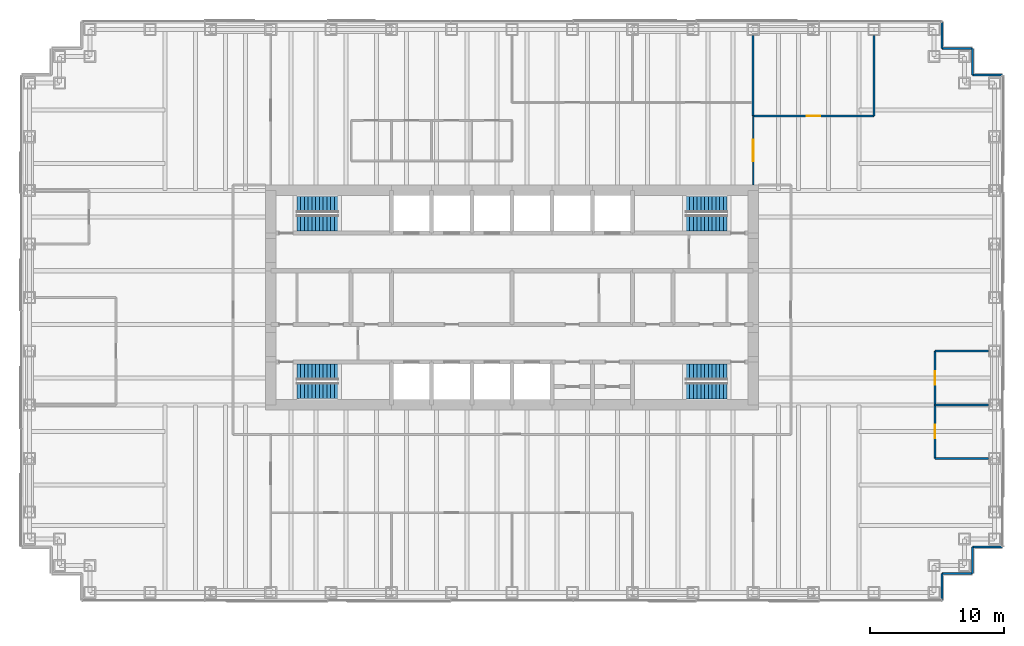
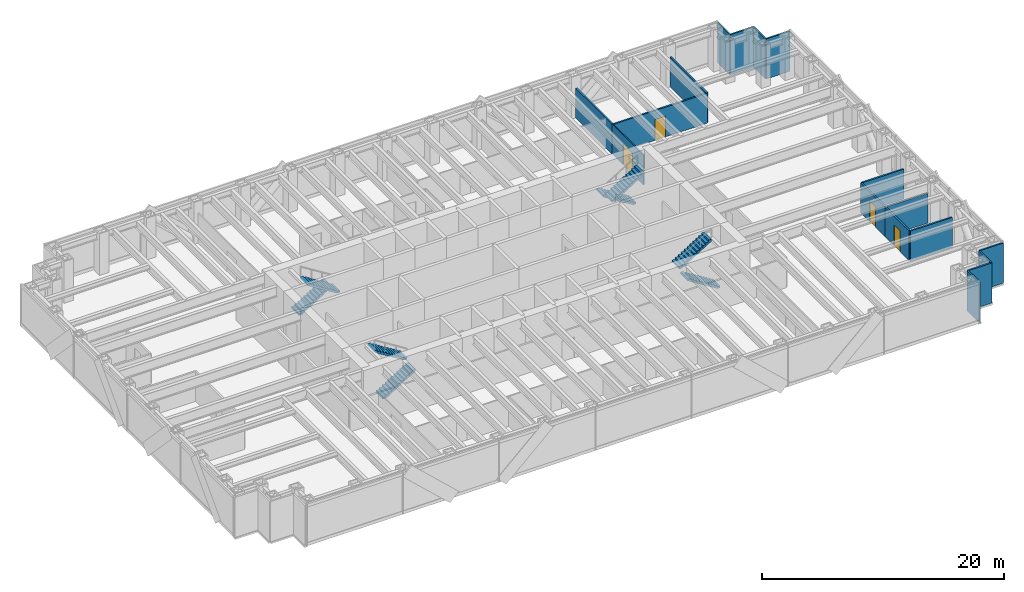
# One storey, part 13 of 14: 17 walls, 8 stair flights, 4 doors, 4 openings, 4 elements without a shape of their own.
"""IFC4 building model written with IfcOpenShell, lengths in metres."""

from ifc_helpers import new_model, si_unit, direction, frame, frame_2d, origin, place, context, subcontext, project, spatial, polyline, rectangle, outline, extrude, material, layer, layer_set, type_object, element, fill, aggregate, save


model = new_model("IFC4")

# Units and contexts
model_context = context("Model", 3, precision=1e-05, world=origin(), true_north=direction((0.0, 1.0)))
body_context = subcontext(model_context, "Body", "Model", "MODEL_VIEW")
ifc_project = project(units=[si_unit("LENGTHUNIT", "METRE"), si_unit("AREAUNIT", "SQUARE_METRE"), si_unit("VOLUMEUNIT", "CUBIC_METRE"), si_unit("PLANEANGLEUNIT", "RADIAN"), si_unit("MASSUNIT", "GRAM", prefix="KILO")], contexts=[model_context])

# Site, building, storey
site_placement = place(None, origin())
site = spatial("IfcSite", under=ifc_project, at=site_placement, CompositionType="ELEMENT")
building_placement = place(site_placement, origin())
building = spatial("IfcBuilding", under=site, at=building_placement, Name="Rheinbord Bourse Tower", CompositionType="ELEMENT")
storey_placement = place(building_placement, frame((0.0, 0.0, 202.60009765625)))
storey = spatial("IfcBuildingStorey", under=building, at=storey_placement, Name="L45", CompositionType="ELEMENT", Elevation=202.60009765625)

# Walls
ifc_material_1 = material(Name="Black metal rainscreen panel", Category="aluminium")
ifc_layer_1 = layer(ifc_material_1, 0.14990234375)
ifc_layer_set_1 = layer_set([ifc_layer_1], Name="CORNER PIER CLADDING 150")
wall_type_1 = type_object("IfcWallType", Name="CORNER PIER CLADDING 150", PredefinedType="ELEMENTEDWALL", material=ifc_layer_set_1)
wall_1_placement = place(storey_placement, frame((68.10009765625, 1.39990234375, 0.0), z_axis=(0.0, 0.0, 1.0), x_axis=(0.0, 1.0, 0.0)))
element("IfcWall", 1, at=wall_1_placement, inside=storey, type_object=wall_type_1, Name="Corner pier cladding L45 2", PredefinedType="ELEMENTEDWALL", context=body_context, shape_type="SweptSolid", body=[
    extrude(rectangle(XDim=2.0, YDim=0.14990234375, at=frame_2d((1.0, 0.0))), origin(), (0.0, 0.0, 1.0), 4.039794921875),
])
wall_2_placement = place(storey_placement, frame((68.10009765625, 3.39990234375, 0.0), z_axis=(0.0, 0.0, 1.0), x_axis=(1.0, 0.0, 0.0)))
element("IfcWall", 2, at=wall_2_placement, inside=storey, type_object=wall_type_1, Name="Corner pier cladding L45 3", PredefinedType="ELEMENTEDWALL", context=body_context, shape_type="SweptSolid", body=[
    extrude(rectangle(XDim=2.25, YDim=0.14990234375, at=frame_2d((1.125, 0.0))), origin(), (0.0, 0.0, 1.0), 4.039794921875),
])
wall_3_placement = place(storey_placement, frame((70.35009765625, 3.39990234375, 0.0), z_axis=(0.0, 0.0, 1.0), x_axis=(0.0, 1.0, 0.0)))
element("IfcWall", 3, at=wall_3_placement, inside=storey, type_object=wall_type_1, Name="Corner pier cladding L45 4", PredefinedType="ELEMENTEDWALL", context=body_context, shape_type="SweptSolid", body=[
    extrude(rectangle(XDim=2.0, YDim=0.14990234375, at=frame_2d((1.0, 0.0))), origin(), (0.0, 0.0, 1.0), 4.039794921875),
])
for number, where, z_axis, x_axis, name in (
    (4, (70.35009765625, 5.39990234375, 0.0), (0.0, 0.0, 1.0), (1.0, 0.0, 0.0), "Corner pier cladding L45 5"),
    (5, (72.60009765625, 40.60009765625, 0.0), (0.0, 0.0, 1.0), (-1.0, 0.0, 0.0), "Corner pier cladding L45 7"),
):
    element("IfcWall", number, at=place(storey_placement, frame(where, z_axis=z_axis, x_axis=x_axis)), inside=storey, type_object=wall_type_1, Name=name, PredefinedType="ELEMENTEDWALL", context=body_context, shape_type="SweptSolid", body=[
        extrude(rectangle(XDim=2.25, YDim=0.14990234375, at=frame_2d((1.125, 0.0))), origin(), (0.0, 0.0, 1.0), 4.039794921875),
    ])
wall_4_placement = place(storey_placement, frame((70.35009765625, 40.60009765625, 0.0), z_axis=(0.0, 0.0, 1.0), x_axis=(0.0, 1.0, 0.0)))
element("IfcWall", 6, at=wall_4_placement, inside=storey, type_object=wall_type_1, Name="Corner pier cladding L45 8", PredefinedType="ELEMENTEDWALL", context=body_context, shape_type="SweptSolid", body=[
    extrude(rectangle(XDim=2.0, YDim=0.14990234375, at=frame_2d((1.0, 0.0))), origin(), (0.0, 0.0, 1.0), 4.039794921875),
])
wall_5_placement = place(storey_placement, frame((70.35009765625, 42.60009765625, 0.0), z_axis=(0.0, 0.0, 1.0), x_axis=(-1.0, 0.0, 0.0)))
element("IfcWall", 7, at=wall_5_placement, inside=storey, type_object=wall_type_1, Name="Corner pier cladding L45 9", PredefinedType="ELEMENTEDWALL", context=body_context, shape_type="SweptSolid", body=[
    extrude(rectangle(XDim=2.25, YDim=0.14990234375, at=frame_2d((1.125, 0.0))), origin(), (0.0, 0.0, 1.0), 4.039794921875),
])
wall_6_placement = place(storey_placement, frame((68.10009765625, 42.60009765625, 0.0), z_axis=(0.0, 0.0, 1.0), x_axis=(0.0, 1.0, 0.0)))
element("IfcWall", 8, at=wall_6_placement, inside=storey, type_object=wall_type_1, Name="Corner pier cladding L45 10", PredefinedType="ELEMENTEDWALL", context=body_context, shape_type="SweptSolid", body=[
    extrude(rectangle(XDim=2.0, YDim=0.14990234375, at=frame_2d((1.0, 0.0))), origin(), (0.0, 0.0, 1.0), 4.039794921875),
])
ifc_material_2 = material(Name="Gypsum board fire partition", Category="gypsum board")
ifc_layer_2 = layer(ifc_material_2, 0.14990234375)
ifc_layer_set_2 = layer_set([ifc_layer_2], Name="FIRE PARTITION 150 EI60")
wall_type_2 = type_object("IfcWallType", Name="FIRE PARTITION 150 EI60", PredefinedType="PARTITIONING", material=ifc_layer_set_2)
for number, where, z_axis, x_axis, name in (
    (9, (67.550048828125, 12.0, 0.0), (0.0, 0.0, 1.0), (1.0, 0.0, 0.0), "Partition L45-02"),
    (10, (67.550048828125, 16.0, 0.0), (0.0, 0.0, 1.0), (1.0, 0.0, 0.0), "Partition L45-05"),
):
    element("IfcWall", number, at=place(storey_placement, frame(where, z_axis=z_axis, x_axis=x_axis)), inside=storey, type_object=wall_type_2, Name=name, PredefinedType="PARTITIONING", context=body_context, shape_type="SweptSolid", body=[
        extrude(rectangle(XDim=4.0, YDim=0.14990234375, at=frame_2d((2.0, 0.0))), origin(), (0.0, 0.0, 1.0), 3.0),
    ])

# Wall, opening, door
wall_7_placement = place(storey_placement, frame((67.550048828125, 12.0, 0.0), z_axis=(0.0, 0.0, 1.0), x_axis=(0.0, 1.0, 0.0)))
wall_7 = element("IfcWall", 11, at=wall_7_placement, inside=storey, type_object=wall_type_2, Name="Partition L45-36", PredefinedType="PARTITIONING", context=body_context, shape_type="SweptSolid", body=[
    extrude(rectangle(XDim=4.0, YDim=0.14990234375, at=frame_2d((2.0, 0.0))), origin(), (0.0, 0.0, 1.0), 3.0),
])
opening_1_placement = place(wall_7_placement, frame((1.5, 0.0, 0.0)))
opening_1 = element("IfcOpeningElement", 12, at=opening_1_placement, cuts=wall_7, Name="Opening 45D04", PredefinedType="OPENING", context=body_context, shape_type="SweptSolid", body=[
    extrude(rectangle(XDim=1.0, YDim=2.10009765625, at=frame_2d((0.5, 1.050048828125))), frame((0.0, 0.0849609375, 0.0), z_axis=(0.0, -1.0, 0.0), x_axis=(1.0, 0.0, 0.0)), (0.0, 0.0, 1.0), 0.169921875),
])
ifc_material_3 = material(Name="Timber fire door", Category="wood")
door_type_1 = type_object("IfcDoorType", Name="FIRE DOOR 1000 EI60", OperationType="SINGLE_SWING_LEFT", PredefinedType="DOOR", material=ifc_material_3)
door_1_placement = place(opening_1_placement, origin())
door_1 = element("IfcDoor", 13, at=door_1_placement, inside=storey, type_object=door_type_1, Name="Comms room door L45", OperationType="SINGLE_SWING_LEFT", OverallHeight=2.10009765625, OverallWidth=1.0, PredefinedType="DOOR", context=body_context, shape_type="SweptSolid", body=[
    extrude(rectangle(XDim=1.0, YDim=2.10009765625, at=frame_2d((0.5, 1.050048828125))), frame((0.0, 0.02490234375, 0.0), z_axis=(0.0, -1.0, 0.0), x_axis=(1.0, 0.0, 0.0)), (0.0, 0.0, 1.0), 0.050048828125),
])
fill(opening_1, door_1)

ifc_material_4 = material(Name="Toughened laminated glass partition", Category="glass")
ifc_layer_3 = layer(ifc_material_4, 0.10009765625)
ifc_layer_set_3 = layer_set([ifc_layer_3], Name="GLAZED PARTITION 100")
wall_type_3 = type_object("IfcWallType", Name="GLAZED PARTITION 100", PredefinedType="PARTITIONING", material=ifc_layer_set_3)
wall_8_placement = place(storey_placement, frame((54.0, 32.39990234375, 0.0), z_axis=(0.0, 0.0, 1.0), x_axis=(0.0, 1.0, 0.0)))
wall_8 = element("IfcWall", 14, at=wall_8_placement, inside=storey, type_object=wall_type_3, Name="Partition L45-32", PredefinedType="PARTITIONING", context=body_context, shape_type="SweptSolid", body=[
    extrude(rectangle(XDim=5.150146484375, YDim=0.10009765625, at=frame_2d((2.5751953125, 0.0))), origin(), (0.0, 0.0, 1.0), 3.0),
])
opening_2_placement = place(wall_8_placement, frame((1.77490234375, 0.0, 0.0)))
opening_2 = element("IfcOpeningElement", 15, at=opening_2_placement, cuts=wall_8, Name="Opening 45D18", PredefinedType="OPENING", context=body_context, shape_type="SweptSolid", body=[
    extrude(rectangle(XDim=1.60009765625, YDim=2.10009765625, at=frame_2d((0.800048828125, 1.050048828125))), frame((0.0, 0.06005859375, 0.0), z_axis=(0.0, -1.0, 0.0), x_axis=(1.0, 0.0, 0.0)), (0.0, 0.0, 1.0), 0.1201171875),
])
ifc_material_5 = material(Name="Timber door", Category="wood")
door_type_2 = type_object("IfcDoorType", Name="DOUBLE ROOM DOOR 1600", OperationType="DOUBLE_DOOR_DOUBLE_SWING", PredefinedType="DOOR", material=ifc_material_5)
door_2_placement = place(opening_2_placement, origin())
door_2 = element("IfcDoor", 16, at=door_2_placement, inside=storey, type_object=door_type_2, Name="Open area door L45", OperationType="SINGLE_SWING_LEFT", OverallHeight=2.10009765625, OverallWidth=1.60009765625, PredefinedType="DOOR", context=body_context, shape_type="SweptSolid", body=[
    extrude(rectangle(XDim=1.60009765625, YDim=2.10009765625, at=frame_2d((0.800048828125, 1.050048828125))), frame((0.0, 0.02490234375, 0.0), z_axis=(0.0, -1.0, 0.0), x_axis=(1.0, 0.0, 0.0)), (0.0, 0.0, 1.0), 0.050048828125),
])
fill(opening_2, door_2)

# Wall
ifc_material_6 = material(Name="Gypsum board partition", Category="gypsum board")
ifc_layer_4 = layer(ifc_material_6, 0.14990234375)
ifc_layer_set_4 = layer_set([ifc_layer_4], Name="PARTITION 150")
wall_type_4 = type_object("IfcWallType", Name="PARTITION 150", PredefinedType="PARTITIONING", material=ifc_layer_set_4)
wall_9_placement = place(storey_placement, frame((67.550048828125, 20.0, 0.0), z_axis=(0.0, 0.0, 1.0), x_axis=(1.0, 0.0, 0.0)))
element("IfcWall", 17, at=wall_9_placement, inside=storey, type_object=wall_type_4, Name="Partition L45-06", PredefinedType="PARTITIONING", context=body_context, shape_type="SweptSolid", body=[
    extrude(rectangle(XDim=4.0, YDim=0.14990234375, at=frame_2d((2.0, 0.0))), origin(), (0.0, 0.0, 1.0), 3.0),
])

# Wall, opening, door
wall_10_placement = place(storey_placement, frame((54.0, 37.550048828125, 0.0), z_axis=(0.0, 0.0, 1.0), x_axis=(1.0, 0.0, 0.0)))
wall_10 = element("IfcWall", 18, at=wall_10_placement, inside=storey, type_object=wall_type_4, Name="Partition L45-14", PredefinedType="PARTITIONING", context=body_context, shape_type="SweptSolid", body=[
    extrude(rectangle(XDim=9.0, YDim=0.14990234375, at=frame_2d((4.5, 0.0))), origin(), (0.0, 0.0, 1.0), 3.0),
])
opening_3_placement = place(wall_10_placement, frame((4.0, 0.0, 0.0)))
opening_3 = element("IfcOpeningElement", 19, at=opening_3_placement, cuts=wall_10, Name="Opening 45D12", PredefinedType="OPENING", context=body_context, shape_type="SweptSolid", body=[
    extrude(rectangle(XDim=1.0, YDim=2.10009765625, at=frame_2d((0.5, 1.050048828125))), frame((0.0, 0.0849609375, 0.0), z_axis=(0.0, -1.0, 0.0), x_axis=(1.0, 0.0, 0.0)), (0.0, 0.0, 1.0), 0.169921875),
])
ifc_material_7 = material(Name="Timber door", Category="wood")
door_type_3 = type_object("IfcDoorType", Name="ROOM DOOR 1000", OperationType="SINGLE_SWING_LEFT", PredefinedType="DOOR", material=ifc_material_7)
door_3_placement = place(opening_3_placement, origin())
door_3 = element("IfcDoor", 20, at=door_3_placement, inside=storey, type_object=door_type_3, Name="Head of operations office door L45", OperationType="SINGLE_SWING_LEFT", OverallHeight=2.10009765625, OverallWidth=1.0, PredefinedType="DOOR", context=body_context, shape_type="SweptSolid", body=[
    extrude(rectangle(XDim=1.0, YDim=2.10009765625, at=frame_2d((0.5, 1.050048828125))), frame((0.0, 0.02490234375, 0.0), z_axis=(0.0, -1.0, 0.0), x_axis=(1.0, 0.0, 0.0)), (0.0, 0.0, 1.0), 0.050048828125),
])
fill(opening_3, door_3)

# Walls
for number, where, z_axis, x_axis, name in (
    (21, (54.0, 37.550048828125, 0.0), (0.0, 0.0, 1.0), (0.0, 1.0, 0.0), "Partition L45-33"),
    (22, (63.0, 37.550048828125, 0.0), (0.0, 0.0, 1.0), (0.0, 1.0, 0.0), "Partition L45-35"),
):
    element("IfcWall", number, at=place(storey_placement, frame(where, z_axis=z_axis, x_axis=x_axis)), inside=storey, type_object=wall_type_4, Name=name, PredefinedType="PARTITIONING", context=body_context, shape_type="SweptSolid", body=[
        extrude(rectangle(XDim=6.0, YDim=0.14990234375, at=frame_2d((3.0, 0.0))), origin(), (0.0, 0.0, 1.0), 3.0),
    ])

# Wall, opening, door
wall_11_placement = place(storey_placement, frame((67.550048828125, 16.0, 0.0), z_axis=(0.0, 0.0, 1.0), x_axis=(0.0, 1.0, 0.0)))
wall_11 = element("IfcWall", 23, at=wall_11_placement, inside=storey, type_object=wall_type_4, Name="Partition L45-37", PredefinedType="PARTITIONING", context=body_context, shape_type="SweptSolid", body=[
    extrude(rectangle(XDim=4.0, YDim=0.14990234375, at=frame_2d((2.0, 0.0))), origin(), (0.0, 0.0, 1.0), 3.0),
])
opening_4_placement = place(wall_11_placement, frame((1.5, 0.0, 0.0)))
opening_4 = element("IfcOpeningElement", 24, at=opening_4_placement, cuts=wall_11, Name="Opening 45D05", PredefinedType="OPENING", context=body_context, shape_type="SweptSolid", body=[
    extrude(rectangle(XDim=1.0, YDim=2.10009765625, at=frame_2d((0.5, 1.050048828125))), frame((0.0, 0.0849609375, 0.0), z_axis=(0.0, -1.0, 0.0), x_axis=(1.0, 0.0, 0.0)), (0.0, 0.0, 1.0), 0.169921875),
])
door_4_placement = place(opening_4_placement, origin())
door_4 = element("IfcDoor", 25, at=door_4_placement, inside=storey, type_object=door_type_3, Name="Store door L45", OperationType="SINGLE_SWING_LEFT", OverallHeight=2.10009765625, OverallWidth=1.0, PredefinedType="DOOR", context=body_context, shape_type="SweptSolid", body=[
    extrude(rectangle(XDim=1.0, YDim=2.10009765625, at=frame_2d((0.5, 1.050048828125))), frame((0.0, 0.02490234375, 0.0), z_axis=(0.0, -1.0, 0.0), x_axis=(1.0, 0.0, 0.0)), (0.0, 0.0, 1.0), 0.050048828125),
])
fill(opening_4, door_4)

# Stair, stair flights
ifc_material_8 = material(Name="Concrete C30/37", Category="concrete")
stair_type = type_object("IfcStairType", Name="CORE STAIR HALF TURN 4200", PredefinedType="HALF_TURN_STAIR", material=ifc_material_8)
stair_1_placement = place(storey_placement, origin())
stair_1 = element("IfcStair", 26, at=stair_1_placement, inside=storey, type_object=stair_type, Name="Stair ST1 L45, type CS6", PredefinedType="HALF_TURN_STAIR")
ifc_material_9 = material(Name="Concrete C30/37", Category="concrete")
stair_flight_type = type_object("IfcStairFlightType", Name="CORE STAIR FLIGHT 1200, 12 RISERS", PredefinedType="STRAIGHT", material=ifc_material_9)
stair_flight_1_placement = place(storey_placement, frame((19.949951171875, 17.050048828125, 0.0), z_axis=(0.0, 0.0, 1.0), x_axis=(1.0, 0.0, 0.0)))
stair_flight_1 = element("IfcStairFlight", 27, at=stair_flight_1_placement, type_object=stair_flight_type, Name="STAIR L45 ST1 F1", NumberOfRisers=12, NumberOfTreads=11, PredefinedType="STRAIGHT", RiserHeight=0.175, TreadLength=0.28, context=body_context, shape_type="SweptSolid", body=[
    extrude(outline(polyline([(0.0, 0.0), (0.0, 0.175048828125), (0.280029296875, 0.175048828125), (0.280029296875, 0.35009765625), (0.56005859375, 0.35009765625), (0.56005859375, 0.52490234375), (0.840087890625, 0.52490234375), (0.840087890625, 0.699951171875), (1.1201171875, 0.699951171875), (1.1201171875, 0.875), (1.39990234375, 0.875), (1.39990234375, 1.050048828125), (1.679931640625, 1.050048828125), (1.679931640625, 1.22509765625), (1.9599609375, 1.22509765625), (1.9599609375, 1.39990234375), (2.239990234375, 1.39990234375), (2.239990234375, 1.574951171875), (2.52001953125, 1.574951171875), (2.52001953125, 1.75), (2.800048828125, 1.75), (2.800048828125, 1.925048828125), (3.080078125, 1.925048828125), (3.080078125, 2.10009765625), (3.080078125, 1.748291015625), (0.28271484375, 0.0), (0.0, 0.0)])), frame((0.0, 0.60009765625, 0.0), z_axis=(0.0, -1.0, 0.0), x_axis=(1.0, 0.0, 0.0)), (0.0, 0.0, 1.0), 1.199951171875),
])
stair_flight_2_placement = place(storey_placement, frame((23.030029296875, 18.449951171875, 2.099853515625), z_axis=(0.0, 0.0, 1.0), x_axis=(-1.0, 0.0, 0.0)))
stair_flight_2 = element("IfcStairFlight", 28, at=stair_flight_2_placement, type_object=stair_flight_type, Name="STAIR L45 ST1 F2", NumberOfRisers=12, NumberOfTreads=11, PredefinedType="STRAIGHT", RiserHeight=0.175, TreadLength=0.28, context=body_context, shape_type="SweptSolid", body=[
    extrude(outline(polyline([(0.0, 0.0), (0.0, 0.175048828125), (0.280029296875, 0.175048828125), (0.280029296875, 0.35009765625), (0.56005859375, 0.35009765625), (0.56005859375, 0.52490234375), (0.840087890625, 0.52490234375), (0.840087890625, 0.699951171875), (1.1201171875, 0.699951171875), (1.1201171875, 0.875), (1.39990234375, 0.875), (1.39990234375, 1.050048828125), (1.679931640625, 1.050048828125), (1.679931640625, 1.22509765625), (1.9599609375, 1.22509765625), (1.9599609375, 1.39990234375), (2.239990234375, 1.39990234375), (2.239990234375, 1.574951171875), (2.52001953125, 1.574951171875), (2.52001953125, 1.75), (2.800048828125, 1.75), (2.800048828125, 1.925048828125), (3.080078125, 1.925048828125), (3.080078125, 2.10009765625), (3.080078125, 1.748291015625), (0.28271484375, 0.0), (0.0, 0.0)])), frame((0.0, 0.60009765625, 0.0), z_axis=(0.0, -1.0, 0.0), x_axis=(1.0, 0.0, 0.0)), (0.0, 0.0, 1.0), 1.199951171875),
])
aggregate(stair_1, [stair_flight_1, stair_flight_2])

stair_2_placement = place(storey_placement, origin())
stair_2 = element("IfcStair", 29, at=stair_2_placement, inside=storey, type_object=stair_type, Name="Stair ST2 L45, type CS6", PredefinedType="HALF_TURN_STAIR")
stair_flight_3_placement = place(storey_placement, frame((19.949951171875, 30.949951171875, 0.0), z_axis=(0.0, 0.0, 1.0), x_axis=(1.0, 0.0, 0.0)))
stair_flight_3 = element("IfcStairFlight", 30, at=stair_flight_3_placement, type_object=stair_flight_type, Name="STAIR L45 ST2 F1", NumberOfRisers=12, NumberOfTreads=11, PredefinedType="STRAIGHT", RiserHeight=0.175, TreadLength=0.28, context=body_context, shape_type="SweptSolid", body=[
    extrude(outline(polyline([(0.0, 0.0), (0.0, 0.175048828125), (0.280029296875, 0.175048828125), (0.280029296875, 0.35009765625), (0.56005859375, 0.35009765625), (0.56005859375, 0.52490234375), (0.840087890625, 0.52490234375), (0.840087890625, 0.699951171875), (1.1201171875, 0.699951171875), (1.1201171875, 0.875), (1.39990234375, 0.875), (1.39990234375, 1.050048828125), (1.679931640625, 1.050048828125), (1.679931640625, 1.22509765625), (1.9599609375, 1.22509765625), (1.9599609375, 1.39990234375), (2.239990234375, 1.39990234375), (2.239990234375, 1.574951171875), (2.52001953125, 1.574951171875), (2.52001953125, 1.75), (2.800048828125, 1.75), (2.800048828125, 1.925048828125), (3.080078125, 1.925048828125), (3.080078125, 2.10009765625), (3.080078125, 1.748291015625), (0.28271484375, 0.0), (0.0, 0.0)])), frame((0.0, 0.60009765625, 0.0), z_axis=(0.0, -1.0, 0.0), x_axis=(1.0, 0.0, 0.0)), (0.0, 0.0, 1.0), 1.199951171875),
])
stair_flight_4_placement = place(storey_placement, frame((23.030029296875, 29.550048828125, 2.099853515625), z_axis=(0.0, 0.0, 1.0), x_axis=(-1.0, 0.0, 0.0)))
stair_flight_4 = element("IfcStairFlight", 31, at=stair_flight_4_placement, type_object=stair_flight_type, Name="STAIR L45 ST2 F2", NumberOfRisers=12, NumberOfTreads=11, PredefinedType="STRAIGHT", RiserHeight=0.175, TreadLength=0.28, context=body_context, shape_type="SweptSolid", body=[
    extrude(outline(polyline([(0.0, 0.0), (0.0, 0.175048828125), (0.280029296875, 0.175048828125), (0.280029296875, 0.35009765625), (0.56005859375, 0.35009765625), (0.56005859375, 0.52490234375), (0.840087890625, 0.52490234375), (0.840087890625, 0.699951171875), (1.1201171875, 0.699951171875), (1.1201171875, 0.875), (1.39990234375, 0.875), (1.39990234375, 1.050048828125), (1.679931640625, 1.050048828125), (1.679931640625, 1.22509765625), (1.9599609375, 1.22509765625), (1.9599609375, 1.39990234375), (2.239990234375, 1.39990234375), (2.239990234375, 1.574951171875), (2.52001953125, 1.574951171875), (2.52001953125, 1.75), (2.800048828125, 1.75), (2.800048828125, 1.925048828125), (3.080078125, 1.925048828125), (3.080078125, 2.10009765625), (3.080078125, 1.748291015625), (0.28271484375, 0.0), (0.0, 0.0)])), frame((0.0, 0.60009765625, 0.0), z_axis=(0.0, -1.0, 0.0), x_axis=(1.0, 0.0, 0.0)), (0.0, 0.0, 1.0), 1.199951171875),
])
aggregate(stair_2, [stair_flight_3, stair_flight_4])

stair_3_placement = place(storey_placement, origin())
stair_3 = element("IfcStair", 32, at=stair_3_placement, inside=storey, type_object=stair_type, Name="Stair ST3 L45, type CS6", PredefinedType="HALF_TURN_STAIR")
stair_flight_5_placement = place(storey_placement, frame((52.050048828125, 17.050048828125, 0.0), z_axis=(0.0, 0.0, 1.0), x_axis=(-1.0, 0.0, 0.0)))
stair_flight_5 = element("IfcStairFlight", 33, at=stair_flight_5_placement, type_object=stair_flight_type, Name="STAIR L45 ST3 F1", NumberOfRisers=12, NumberOfTreads=11, PredefinedType="STRAIGHT", RiserHeight=0.175, TreadLength=0.28, context=body_context, shape_type="SweptSolid", body=[
    extrude(outline(polyline([(0.0, 0.0), (0.0, 0.175048828125), (0.280029296875, 0.175048828125), (0.280029296875, 0.35009765625), (0.56005859375, 0.35009765625), (0.56005859375, 0.52490234375), (0.840087890625, 0.52490234375), (0.840087890625, 0.699951171875), (1.1201171875, 0.699951171875), (1.1201171875, 0.875), (1.39990234375, 0.875), (1.39990234375, 1.050048828125), (1.679931640625, 1.050048828125), (1.679931640625, 1.22509765625), (1.9599609375, 1.22509765625), (1.9599609375, 1.39990234375), (2.239990234375, 1.39990234375), (2.239990234375, 1.574951171875), (2.52001953125, 1.574951171875), (2.52001953125, 1.75), (2.800048828125, 1.75), (2.800048828125, 1.925048828125), (3.080078125, 1.925048828125), (3.080078125, 2.10009765625), (3.080078125, 1.748291015625), (0.28271484375, 0.0), (0.0, 0.0)])), frame((0.0, 0.60009765625, 0.0), z_axis=(0.0, -1.0, 0.0), x_axis=(1.0, 0.0, 0.0)), (0.0, 0.0, 1.0), 1.199951171875),
])
stair_flight_6_placement = place(storey_placement, frame((48.969970703125, 18.449951171875, 2.099853515625), z_axis=(0.0, 0.0, 1.0), x_axis=(1.0, 0.0, 0.0)))
stair_flight_6 = element("IfcStairFlight", 34, at=stair_flight_6_placement, type_object=stair_flight_type, Name="STAIR L45 ST3 F2", NumberOfRisers=12, NumberOfTreads=11, PredefinedType="STRAIGHT", RiserHeight=0.175, TreadLength=0.28, context=body_context, shape_type="SweptSolid", body=[
    extrude(outline(polyline([(0.0, 0.0), (0.0, 0.175048828125), (0.280029296875, 0.175048828125), (0.280029296875, 0.35009765625), (0.56005859375, 0.35009765625), (0.56005859375, 0.52490234375), (0.840087890625, 0.52490234375), (0.840087890625, 0.699951171875), (1.1201171875, 0.699951171875), (1.1201171875, 0.875), (1.39990234375, 0.875), (1.39990234375, 1.050048828125), (1.679931640625, 1.050048828125), (1.679931640625, 1.22509765625), (1.9599609375, 1.22509765625), (1.9599609375, 1.39990234375), (2.239990234375, 1.39990234375), (2.239990234375, 1.574951171875), (2.52001953125, 1.574951171875), (2.52001953125, 1.75), (2.800048828125, 1.75), (2.800048828125, 1.925048828125), (3.080078125, 1.925048828125), (3.080078125, 2.10009765625), (3.080078125, 1.748291015625), (0.28271484375, 0.0), (0.0, 0.0)])), frame((0.0, 0.60009765625, 0.0), z_axis=(0.0, -1.0, 0.0), x_axis=(1.0, 0.0, 0.0)), (0.0, 0.0, 1.0), 1.199951171875),
])
aggregate(stair_3, [stair_flight_5, stair_flight_6])

stair_4_placement = place(storey_placement, origin())
stair_4 = element("IfcStair", 35, at=stair_4_placement, inside=storey, type_object=stair_type, Name="Stair ST4 L45, type CS6", PredefinedType="HALF_TURN_STAIR")
stair_flight_7_placement = place(storey_placement, frame((52.050048828125, 30.949951171875, 0.0), z_axis=(0.0, 0.0, 1.0), x_axis=(-1.0, 0.0, 0.0)))
stair_flight_7 = element("IfcStairFlight", 36, at=stair_flight_7_placement, type_object=stair_flight_type, Name="STAIR L45 ST4 F1", NumberOfRisers=12, NumberOfTreads=11, PredefinedType="STRAIGHT", RiserHeight=0.175, TreadLength=0.28, context=body_context, shape_type="SweptSolid", body=[
    extrude(outline(polyline([(0.0, 0.0), (0.0, 0.175048828125), (0.280029296875, 0.175048828125), (0.280029296875, 0.35009765625), (0.56005859375, 0.35009765625), (0.56005859375, 0.52490234375), (0.840087890625, 0.52490234375), (0.840087890625, 0.699951171875), (1.1201171875, 0.699951171875), (1.1201171875, 0.875), (1.39990234375, 0.875), (1.39990234375, 1.050048828125), (1.679931640625, 1.050048828125), (1.679931640625, 1.22509765625), (1.9599609375, 1.22509765625), (1.9599609375, 1.39990234375), (2.239990234375, 1.39990234375), (2.239990234375, 1.574951171875), (2.52001953125, 1.574951171875), (2.52001953125, 1.75), (2.800048828125, 1.75), (2.800048828125, 1.925048828125), (3.080078125, 1.925048828125), (3.080078125, 2.10009765625), (3.080078125, 1.748291015625), (0.28271484375, 0.0), (0.0, 0.0)])), frame((0.0, 0.60009765625, 0.0), z_axis=(0.0, -1.0, 0.0), x_axis=(1.0, 0.0, 0.0)), (0.0, 0.0, 1.0), 1.199951171875),
])
stair_flight_8_placement = place(storey_placement, frame((48.969970703125, 29.550048828125, 2.099853515625), z_axis=(0.0, 0.0, 1.0), x_axis=(1.0, 0.0, 0.0)))
stair_flight_8 = element("IfcStairFlight", 37, at=stair_flight_8_placement, type_object=stair_flight_type, Name="STAIR L45 ST4 F2", NumberOfRisers=12, NumberOfTreads=11, PredefinedType="STRAIGHT", RiserHeight=0.175, TreadLength=0.28, context=body_context, shape_type="SweptSolid", body=[
    extrude(outline(polyline([(0.0, 0.0), (0.0, 0.175048828125), (0.280029296875, 0.175048828125), (0.280029296875, 0.35009765625), (0.56005859375, 0.35009765625), (0.56005859375, 0.52490234375), (0.840087890625, 0.52490234375), (0.840087890625, 0.699951171875), (1.1201171875, 0.699951171875), (1.1201171875, 0.875), (1.39990234375, 0.875), (1.39990234375, 1.050048828125), (1.679931640625, 1.050048828125), (1.679931640625, 1.22509765625), (1.9599609375, 1.22509765625), (1.9599609375, 1.39990234375), (2.239990234375, 1.39990234375), (2.239990234375, 1.574951171875), (2.52001953125, 1.574951171875), (2.52001953125, 1.75), (2.800048828125, 1.75), (2.800048828125, 1.925048828125), (3.080078125, 1.925048828125), (3.080078125, 2.10009765625), (3.080078125, 1.748291015625), (0.28271484375, 0.0), (0.0, 0.0)])), frame((0.0, 0.60009765625, 0.0), z_axis=(0.0, -1.0, 0.0), x_axis=(1.0, 0.0, 0.0)), (0.0, 0.0, 1.0), 1.199951171875),
])
aggregate(stair_4, [stair_flight_7, stair_flight_8])

save(model, "model.ifc")
